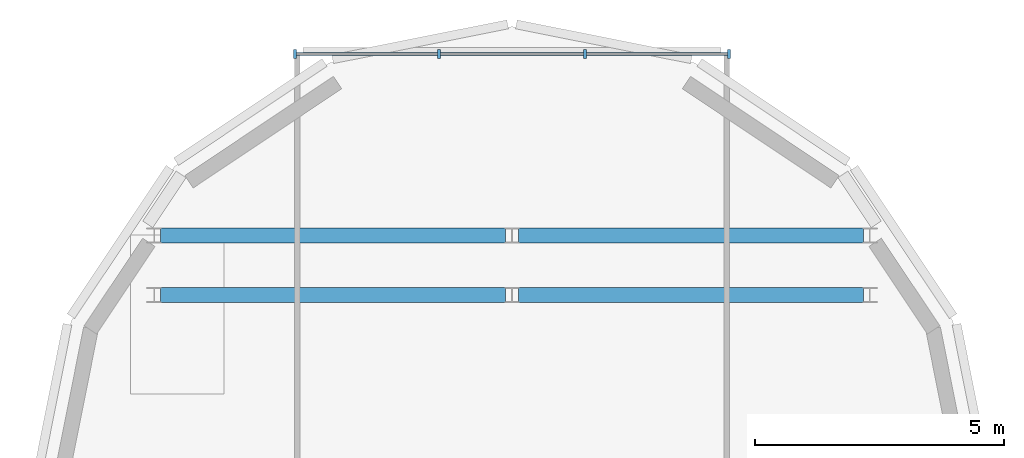
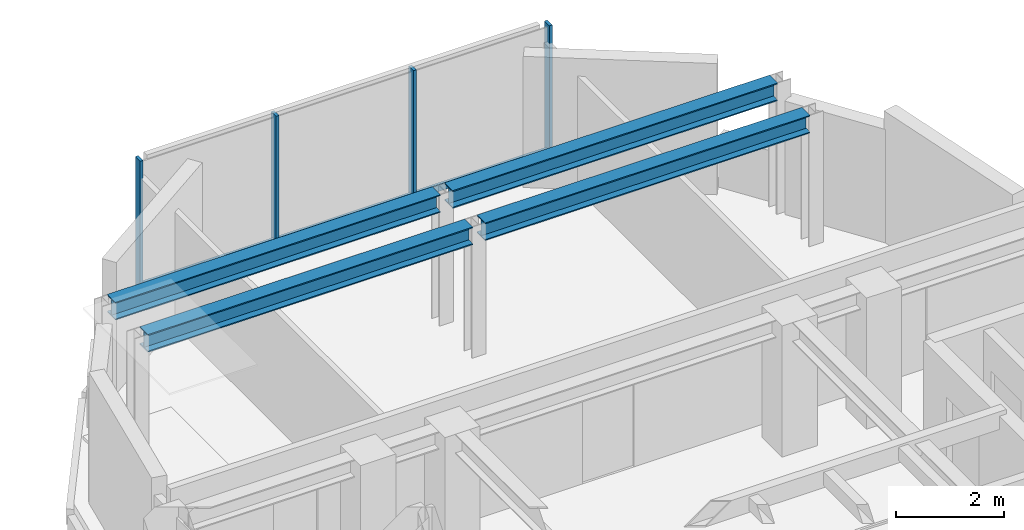
# One storey, part 5 of 11: 7 members, 4 beams, 1 element without a shape of its own.
"""IFC4 building model written with IfcOpenShell, lengths in metres."""

from ifc_helpers import new_model, si_unit, direction, frame, origin, origin_2d, place, context, subcontext, project, spatial, rectangle, i_section, extrude, source, transform, mapped, material, material_profile, profile_set, type_object, element, aggregate, save


model = new_model("IFC4")

# Units and contexts
model_context = context("Model", 3, precision=1e-05, world=origin(), true_north=direction((0.0, 1.0)))
body_context = subcontext(model_context, "Body", "Model", "MODEL_VIEW")
ifc_project = project(units=[si_unit("LENGTHUNIT", "METRE"), si_unit("AREAUNIT", "SQUARE_METRE"), si_unit("VOLUMEUNIT", "CUBIC_METRE"), si_unit("PLANEANGLEUNIT", "RADIAN"), si_unit("MASSUNIT", "GRAM", prefix="KILO")], contexts=[model_context])

# Site, building, storey
site_placement = place(None, origin())
site = spatial("IfcSite", under=ifc_project, at=site_placement, CompositionType="ELEMENT")
building_placement = place(site_placement, origin())
building = spatial("IfcBuilding", under=site, at=building_placement, Name="Keilestroom Media Tower", CompositionType="ELEMENT")
storey_placement = place(building_placement, frame((0.0, 0.0, 268.39990234375)))
storey = spatial("IfcBuildingStorey", under=building, at=storey_placement, Name="L75", CompositionType="ELEMENT", Elevation=268.39990234375)

# Beams
ifc_material_1 = material(Name="Steel S355", Category="steel")
ifc_material_profile_1 = material_profile(ifc_material_1, i_section(OverallWidth=0.300048828125, OverallDepth=0.39990234375, WebThickness=0.011474609375, FlangeThickness=0.02392578125, at=origin_2d()), Name="HEB 400")
ifc_profile_set_1 = profile_set([ifc_material_profile_1], Name="Steel S355")
beam_type = type_object("IfcBeamType", Name="Primary-Structural-Girder-HEB-400", PredefinedType="BEAM", material=ifc_profile_set_1)
shared_shape_1 = source(origin(), body_context, "Body", "SweptSolid", [
    extrude(i_section(OverallWidth=0.300048828125, OverallDepth=0.39990234375, WebThickness=0.011474609375, FlangeThickness=0.02392578125, at=origin_2d()), origin(), (0.0, 0.0, 1.0), 6.940185546875),
])
for number, where, z_axis, x_axis, name in (
    (1, (-7.070068359375, 14.39990234375, 2.760009765625), (1.0, 0.0, 0.0), (0.0, 1.0, 0.0), "L75 Beam BG-8 BM-L75-EW-013"),
    (2, (0.1298828125, 14.39990234375, 2.760009765625), (1.0, 0.0, 0.0), (0.0, 1.0, 0.0), "L75 Beam BG-8 BM-L75-EW-014"),
    (3, (-7.070068359375, 15.60009765625, 2.760009765625), (1.0, 0.0, 0.0), (0.0, 1.0, 0.0), "L75 Beam BG-8 BM-L75-EW-015"),
    (4, (0.1298828125, 15.60009765625, 2.760009765625), (1.0, 0.0, 0.0), (0.0, 1.0, 0.0), "L75 Beam BG-8 BM-L75-EW-016"),
):
    element("IfcBeam", number, at=place(storey_placement, frame(where, z_axis=z_axis, x_axis=x_axis)), inside=storey, type_object=beam_type, Name=name, PredefinedType="BEAM", context=body_context, shape_type="MappedRepresentation", body=[
        mapped(shared_shape_1, transform((0.0, 0.0, 0.0), x_axis=(1.0, 0.0, 0.0), y_axis=(0.0, 1.0, 0.0), z_axis=(0.0, 0.0, 1.0), scale=1.0)),
    ])

# Curtain wall, members
ifc_material_2 = material(Name="Anodised Aluminium Alloy", Category="aluminium")
curtain_wall_type = type_object("IfcCurtainWallType", Name="Unitised-Curtain-Wall-CW-6", PredefinedType="NOTDEFINED", material=ifc_material_2)
curtain_wall_placement = place(storey_placement, origin())
curtain_wall = element("IfcCurtainWall", 5, at=curtain_wall_placement, inside=storey, type_object=curtain_wall_type, Name="L75 Curtain Wall CW-6 CW-L75-LN-1", PredefinedType="NOTDEFINED")
ifc_material_profile_2 = material_profile(ifc_material_2, rectangle(XDim=0.06494140625, YDim=0.14990234375, at=origin_2d()), Name="ALU TRANSOM 65x150")
ifc_profile_set_2 = profile_set([ifc_material_profile_2], Name="Anodised Aluminium Alloy")
member_type_1 = type_object("IfcMemberType", Name="Curtain-Wall-Transom-CW-6", PredefinedType="USERDEFINED", material=ifc_profile_set_2)
shared_shape_2 = source(origin(), body_context, "Body", "SweptSolid", [
    extrude(rectangle(XDim=0.06494140625, YDim=0.14990234375, at=origin_2d()), origin(), (0.0, 0.0, 1.0), 2.839599609375),
])
member_1_placement = place(storey_placement, frame((-4.3369140625, 19.25, 0.0751953125), z_axis=(1.0, 0.0, 0.0), x_axis=(0.0, 1.0, 0.0)))
member_1 = element("IfcMember", 6, at=member_1_placement, type_object=member_type_1, Name="CW-6 Transom 00.1", ObjectType="TRANSOM", PredefinedType="USERDEFINED", context=body_context, shape_type="MappedRepresentation", body=[
    mapped(shared_shape_2, transform((0.0, 0.0, 0.0), x_axis=(1.0, 0.0, 0.0), y_axis=(0.0, 1.0, 0.0), z_axis=(0.0, 0.0, 1.0), scale=1.0)),
])
member_2_placement = place(storey_placement, frame((1.497314453125, 19.25, 0.0751953125), z_axis=(1.0, 0.0, 0.0), x_axis=(0.0, 1.0, 0.0)))
member_2 = element("IfcMember", 7, at=member_2_placement, type_object=member_type_1, Name="CW-6 Transom 02.1", ObjectType="TRANSOM", PredefinedType="USERDEFINED", context=body_context, shape_type="MappedRepresentation", body=[
    mapped(shared_shape_2, transform((0.0, 0.0, 0.0), x_axis=(1.0, 0.0, 0.0), y_axis=(0.0, 1.0, 0.0), z_axis=(0.0, 0.0, 1.0), scale=1.0)),
])
shared_shape_3 = source(origin(), body_context, "Body", "SweptSolid", [
    extrude(rectangle(XDim=0.06494140625, YDim=0.14990234375, at=origin_2d()), origin(), (0.0, 0.0, 1.0), 2.87255859375),
])
member_3_placement = place(storey_placement, frame((-1.436279296875, 19.25, 0.0751953125), z_axis=(1.0, 0.0, 0.0), x_axis=(0.0, 1.0, 0.0)))
member_3 = element("IfcMember", 8, at=member_3_placement, type_object=member_type_1, Name="CW-6 Transom 01.1", ObjectType="TRANSOM", PredefinedType="USERDEFINED", context=body_context, shape_type="MappedRepresentation", body=[
    mapped(shared_shape_3, transform((0.0, 0.0, 0.0), x_axis=(1.0, 0.0, 0.0), y_axis=(0.0, 1.0, 0.0), z_axis=(0.0, 0.0, 1.0), scale=1.0)),
])
ifc_material_profile_3 = material_profile(ifc_material_2, rectangle(XDim=0.06494140625, YDim=0.179931640625, at=origin_2d()), Name="ALU MULLION 65x180")
ifc_profile_set_3 = profile_set([ifc_material_profile_3], Name="Anodised Aluminium Alloy")
member_type_2 = type_object("IfcMemberType", Name="Curtain-Wall-Mullion-CW-6", PredefinedType="MULLION", material=ifc_profile_set_3)
shared_shape_4 = source(origin(), body_context, "Body", "SweptSolid", [
    extrude(rectangle(XDim=0.06494140625, YDim=0.179931640625, at=origin_2d()), origin(), (0.0, 0.0, 1.0), 2.960205078125),
])
member_4_placement = place(storey_placement, frame((-4.367431640625, 19.25, 0.0), z_axis=(0.0, 0.0, 1.0), x_axis=(1.0, 0.0, 0.0)))
member_4 = element("IfcMember", 9, at=member_4_placement, type_object=member_type_2, Name="CW-6 Mullion 00", PredefinedType="MULLION", context=body_context, shape_type="MappedRepresentation", body=[
    mapped(shared_shape_4, transform((0.0, 0.0, 0.0), x_axis=(1.0, 0.0, 0.0), y_axis=(0.0, 1.0, 0.0), z_axis=(0.0, 0.0, 1.0), scale=1.0)),
])
member_5_placement = place(storey_placement, frame((-1.466796875, 19.25, 0.0), z_axis=(0.0, 0.0, 1.0), x_axis=(1.0, 0.0, 0.0)))
member_5 = element("IfcMember", 10, at=member_5_placement, type_object=member_type_2, Name="CW-6 Mullion 01", PredefinedType="MULLION", context=body_context, shape_type="MappedRepresentation", body=[
    mapped(shared_shape_4, transform((0.0, 0.0, 0.0), x_axis=(1.0, 0.0, 0.0), y_axis=(0.0, 1.0, 0.0), z_axis=(0.0, 0.0, 1.0), scale=1.0)),
])
member_6_placement = place(storey_placement, frame((1.466796875, 19.25, 0.0), z_axis=(0.0, 0.0, 1.0), x_axis=(1.0, 0.0, 0.0)))
member_6 = element("IfcMember", 11, at=member_6_placement, type_object=member_type_2, Name="CW-6 Mullion 02", PredefinedType="MULLION", context=body_context, shape_type="MappedRepresentation", body=[
    mapped(shared_shape_4, transform((0.0, 0.0, 0.0), x_axis=(1.0, 0.0, 0.0), y_axis=(0.0, 1.0, 0.0), z_axis=(0.0, 0.0, 1.0), scale=1.0)),
])
member_7_placement = place(storey_placement, frame((4.367431640625, 19.25, 0.0), z_axis=(0.0, 0.0, 1.0), x_axis=(1.0, 0.0, 0.0)))
member_7 = element("IfcMember", 12, at=member_7_placement, type_object=member_type_2, Name="CW-6 Mullion 03", PredefinedType="MULLION", context=body_context, shape_type="MappedRepresentation", body=[
    mapped(shared_shape_4, transform((0.0, 0.0, 0.0), x_axis=(1.0, 0.0, 0.0), y_axis=(0.0, 1.0, 0.0), z_axis=(0.0, 0.0, 1.0), scale=1.0)),
])
aggregate(curtain_wall, [member_4, member_5, member_6, member_7, member_1, member_3, member_2])

save(model, "model.ifc")
